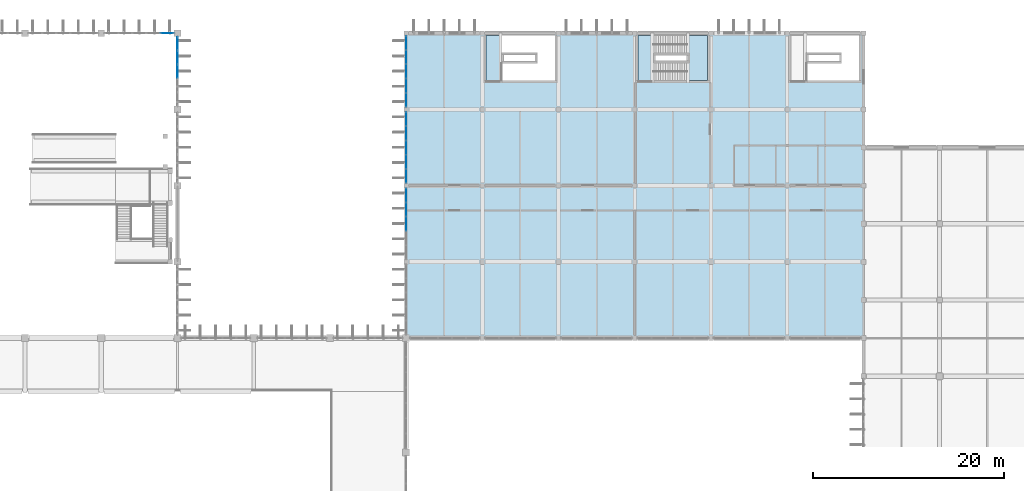
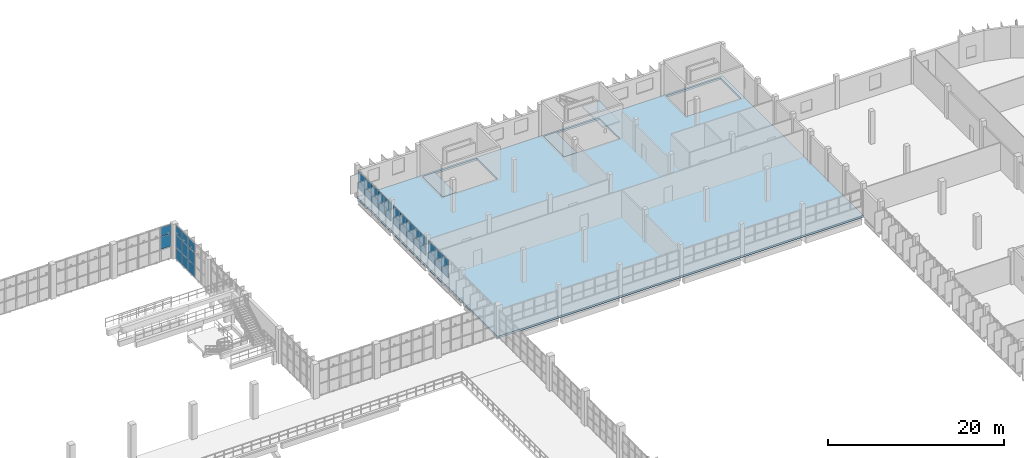
# One storey, part 59 of 93: 37 plates, 4 slabs, 6 elements without a shape of their own.
"""IFC4 building model written with IfcOpenShell, lengths in metres."""

from ifc_helpers import new_model, si_unit, direction, frame, origin, origin_2d, place, context, subcontext, project, spatial, polyline, rectangle, outline, extrude, material, layer, layer_set, type_object, element, aggregate, save


model = new_model("IFC4")

# Units and contexts
model_context = context("Model", 3, precision=1e-05, world=origin(), true_north=direction((0.0, 1.0)))
body_context = subcontext(model_context, "Body", "Model", "MODEL_VIEW")
ifc_project = project(units=[si_unit("LENGTHUNIT", "METRE"), si_unit("AREAUNIT", "SQUARE_METRE"), si_unit("VOLUMEUNIT", "CUBIC_METRE"), si_unit("PLANEANGLEUNIT", "RADIAN"), si_unit("MASSUNIT", "GRAM", prefix="KILO")], contexts=[model_context])

# Site, building, storey
site_placement = place(None, origin())
site = spatial("IfcSite", under=ifc_project, at=site_placement, CompositionType="ELEMENT")
building_placement = place(site_placement, origin())
building = spatial("IfcBuilding", under=site, at=building_placement, Name="Drelvana Railside Aquatics Centre", CompositionType="ELEMENT")
storey_placement = place(building_placement, frame((0.0, 0.0, 5.39990234375)))
storey = spatial("IfcBuildingStorey", under=building, at=storey_placement, Name="L01", CompositionType="ELEMENT", Elevation=5.39990234375)

# Curtain wall, plates
ifc_material_1 = material(Name="Bronze-anodised aluminium curtain wall", Category="aluminium")
ifc_layer_1 = layer(ifc_material_1, 0.179931640625, Name="Bronze-anodised aluminium curtain wall")
ifc_layer_set_1 = layer_set([ifc_layer_1], Name="Bronze-anodised aluminium curtain wall")
curtain_wall_type_1 = type_object("IfcCurtainWallType", Name="CW-Z2-CLER", PredefinedType="NOTDEFINED", material=ifc_layer_set_1)
curtain_wall_1_placement = place(storey_placement, origin())
curtain_wall_1 = element("IfcCurtainWall", 1, at=curtain_wall_1_placement, inside=storey, type_object=curtain_wall_type_1, Name="Curtain wall CW-02-040", PredefinedType="NOTDEFINED")
ifc_material_2 = material(Name="Double-glazed low-e solar-control glass", Category="glass")
ifc_layer_2 = layer(ifc_material_2, 0.028076171875, Name="Double-glazed low-e solar-control glass")
ifc_layer_set_2 = layer_set([ifc_layer_2], Name="Double-glazed low-e solar-control glass")
plate_type_1 = type_object("IfcPlateType", Name="CW-Z2-CLER-PAN", PredefinedType="CURTAIN_PANEL", material=ifc_layer_set_2)
plate_1_placement = place(storey_placement, frame((70.9072265625, 116.0, 1.70068359375), z_axis=(0.0, 0.0, 1.0), x_axis=(1.0, 0.0, 0.0)))
plate_1 = element("IfcPlate", 2, at=plate_1_placement, type_object=plate_type_1, Name="CW-02 panel 5.2", PredefinedType="CURTAIN_PANEL", context=body_context, shape_type="SweptSolid", body=[
    extrude(rectangle(XDim=1.367431640625, YDim=0.028076171875, at=origin_2d()), origin(), (0.0, 0.0, 1.0), 1.718994140625),
])
plate_2_placement = place(storey_placement, frame((70.9072265625, 116.0, 3.474609375), z_axis=(0.0, 0.0, 1.0), x_axis=(1.0, 0.0, 0.0)))
plate_2 = element("IfcPlate", 3, at=plate_2_placement, type_object=plate_type_1, Name="CW-02 panel 5.3", PredefinedType="CURTAIN_PANEL", context=body_context, shape_type="SweptSolid", body=[
    extrude(rectangle(XDim=1.367431640625, YDim=0.028076171875, at=origin_2d()), origin(), (0.0, 0.0, 1.0), 1.255615234375),
])
aggregate(curtain_wall_1, [plate_1, plate_2])

ifc_layer_3 = layer(ifc_material_1, 0.1650390625, Name="Bronze-anodised aluminium curtain wall")
ifc_layer_set_3 = layer_set([ifc_layer_3], Name="Bronze-anodised aluminium curtain wall")
curtain_wall_type_2 = type_object("IfcCurtainWallType", Name="CW-Z5-COURT", PredefinedType="NOTDEFINED", material=ifc_layer_set_3)
curtain_wall_2_placement = place(storey_placement, origin())
curtain_wall_2 = element("IfcCurtainWall", 4, at=curtain_wall_2_placement, inside=storey, type_object=curtain_wall_type_2, Name="Curtain wall CW-05-130", PredefinedType="NOTDEFINED")
ifc_layer_4 = layer(ifc_material_2, 0.02587890625, Name="Double-glazed low-e solar-control glass")
ifc_layer_set_4 = layer_set([ifc_layer_4], Name="Double-glazed low-e solar-control glass")
plate_type_2 = type_object("IfcPlateType", Name="CW-Z5-COURT-PAN", PredefinedType="CURTAIN_PANEL", material=ifc_layer_set_4)
plate_3_placement = place(storey_placement, frame((96.0, 96.0, 1.29931640625), z_axis=(0.0, 0.0, 1.0), x_axis=(0.0, 1.0, 0.0)))
plate_3 = element("IfcPlate", 5, at=plate_3_placement, type_object=plate_type_2, Name="CW-05 panel 3.1", PredefinedType="CURTAIN_PANEL", context=body_context, shape_type="SweptSolid", body=[
    extrude(rectangle(XDim=1.452392578125, YDim=0.02587890625, at=origin_2d()), origin(), (0.0, 0.0, 1.0), 1.093017578125),
])
plate_4_placement = place(storey_placement, frame((96.0, 96.0, 2.442138671875), z_axis=(0.0, 0.0, 1.0), x_axis=(0.0, 1.0, 0.0)))
plate_4 = element("IfcPlate", 6, at=plate_4_placement, type_object=plate_type_2, Name="CW-05 panel 3.2", PredefinedType="CURTAIN_PANEL", context=body_context, shape_type="SweptSolid", body=[
    extrude(rectangle(XDim=1.452392578125, YDim=0.02587890625, at=origin_2d()), origin(), (0.0, 0.0, 1.0), 1.35302734375),
])
plate_5_placement = place(storey_placement, frame((96.0, 97.50244140625, 1.29931640625), z_axis=(0.0, 0.0, 1.0), x_axis=(0.0, 1.0, 0.0)))
plate_5 = element("IfcPlate", 7, at=plate_5_placement, type_object=plate_type_2, Name="CW-05 panel 4.1", PredefinedType="CURTAIN_PANEL", context=body_context, shape_type="SweptSolid", body=[
    extrude(rectangle(XDim=1.452392578125, YDim=0.02587890625, at=origin_2d()), origin(), (0.0, 0.0, 1.0), 1.093017578125),
])
plate_6_placement = place(storey_placement, frame((96.0, 97.50244140625, 2.442138671875), z_axis=(0.0, 0.0, 1.0), x_axis=(0.0, 1.0, 0.0)))
plate_6 = element("IfcPlate", 8, at=plate_6_placement, type_object=plate_type_2, Name="CW-05 panel 4.2", PredefinedType="CURTAIN_PANEL", context=body_context, shape_type="SweptSolid", body=[
    extrude(rectangle(XDim=1.452392578125, YDim=0.02587890625, at=origin_2d()), origin(), (0.0, 0.0, 1.0), 1.35302734375),
])
plate_7_placement = place(storey_placement, frame((96.0, 98.98974609375, 1.29931640625), z_axis=(0.0, 0.0, 1.0), x_axis=(0.0, 1.0, 0.0)))
plate_7 = element("IfcPlate", 9, at=plate_7_placement, type_object=plate_type_2, Name="CW-05 panel 5.1", PredefinedType="CURTAIN_PANEL", context=body_context, shape_type="SweptSolid", body=[
    extrude(rectangle(XDim=1.42236328125, YDim=0.02587890625, at=origin_2d()), origin(), (0.0, 0.0, 1.0), 1.093017578125),
])
plate_8_placement = place(storey_placement, frame((96.0, 98.98974609375, 2.442138671875), z_axis=(0.0, 0.0, 1.0), x_axis=(0.0, 1.0, 0.0)))
plate_8 = element("IfcPlate", 10, at=plate_8_placement, type_object=plate_type_2, Name="CW-05 panel 5.2", PredefinedType="CURTAIN_PANEL", context=body_context, shape_type="SweptSolid", body=[
    extrude(rectangle(XDim=1.42236328125, YDim=0.02587890625, at=origin_2d()), origin(), (0.0, 0.0, 1.0), 1.35302734375),
])
aggregate(curtain_wall_2, [plate_3, plate_4, plate_5, plate_6, plate_7, plate_8])

curtain_wall_3_placement = place(storey_placement, origin())
curtain_wall_3 = element("IfcCurtainWall", 11, at=curtain_wall_3_placement, inside=storey, type_object=curtain_wall_type_2, Name="Curtain wall CW-05-132", PredefinedType="NOTDEFINED")
plate_9_placement = place(storey_placement, frame((96.0, 101.01025390625, 1.29931640625), z_axis=(0.0, 0.0, 1.0), x_axis=(0.0, 1.0, 0.0)))
plate_9 = element("IfcPlate", 12, at=plate_9_placement, type_object=plate_type_2, Name="CW-05 panel 1.1", PredefinedType="CURTAIN_PANEL", context=body_context, shape_type="SweptSolid", body=[
    extrude(rectangle(XDim=1.42236328125, YDim=0.02587890625, at=origin_2d()), origin(), (0.0, 0.0, 1.0), 1.093017578125),
])
plate_10_placement = place(storey_placement, frame((96.0, 101.01025390625, 2.442138671875), z_axis=(0.0, 0.0, 1.0), x_axis=(0.0, 1.0, 0.0)))
plate_10 = element("IfcPlate", 13, at=plate_10_placement, type_object=plate_type_2, Name="CW-05 panel 1.2", PredefinedType="CURTAIN_PANEL", context=body_context, shape_type="SweptSolid", body=[
    extrude(rectangle(XDim=1.42236328125, YDim=0.02587890625, at=origin_2d()), origin(), (0.0, 0.0, 1.0), 1.35302734375),
])
plate_11_placement = place(storey_placement, frame((96.0, 102.49755859375, 1.29931640625), z_axis=(0.0, 0.0, 1.0), x_axis=(0.0, 1.0, 0.0)))
plate_11 = element("IfcPlate", 14, at=plate_11_placement, type_object=plate_type_2, Name="CW-05 panel 2.1", PredefinedType="CURTAIN_PANEL", context=body_context, shape_type="SweptSolid", body=[
    extrude(rectangle(XDim=1.452392578125, YDim=0.02587890625, at=origin_2d()), origin(), (0.0, 0.0, 1.0), 1.093017578125),
])
plate_12_placement = place(storey_placement, frame((96.0, 102.49755859375, 2.442138671875), z_axis=(0.0, 0.0, 1.0), x_axis=(0.0, 1.0, 0.0)))
plate_12 = element("IfcPlate", 15, at=plate_12_placement, type_object=plate_type_2, Name="CW-05 panel 2.2", PredefinedType="CURTAIN_PANEL", context=body_context, shape_type="SweptSolid", body=[
    extrude(rectangle(XDim=1.452392578125, YDim=0.02587890625, at=origin_2d()), origin(), (0.0, 0.0, 1.0), 1.35302734375),
])
plate_13_placement = place(storey_placement, frame((96.0, 104.0, 1.29931640625), z_axis=(0.0, 0.0, 1.0), x_axis=(0.0, 1.0, 0.0)))
plate_13 = element("IfcPlate", 16, at=plate_13_placement, type_object=plate_type_2, Name="CW-05 panel 3.1", PredefinedType="CURTAIN_PANEL", context=body_context, shape_type="SweptSolid", body=[
    extrude(rectangle(XDim=1.452392578125, YDim=0.02587890625, at=origin_2d()), origin(), (0.0, 0.0, 1.0), 1.093017578125),
])
plate_14_placement = place(storey_placement, frame((96.0, 104.0, 2.442138671875), z_axis=(0.0, 0.0, 1.0), x_axis=(0.0, 1.0, 0.0)))
plate_14 = element("IfcPlate", 17, at=plate_14_placement, type_object=plate_type_2, Name="CW-05 panel 3.2", PredefinedType="CURTAIN_PANEL", context=body_context, shape_type="SweptSolid", body=[
    extrude(rectangle(XDim=1.452392578125, YDim=0.02587890625, at=origin_2d()), origin(), (0.0, 0.0, 1.0), 1.35302734375),
])
plate_15_placement = place(storey_placement, frame((96.0, 105.50244140625, 1.29931640625), z_axis=(0.0, 0.0, 1.0), x_axis=(0.0, 1.0, 0.0)))
plate_15 = element("IfcPlate", 18, at=plate_15_placement, type_object=plate_type_2, Name="CW-05 panel 4.1", PredefinedType="CURTAIN_PANEL", context=body_context, shape_type="SweptSolid", body=[
    extrude(rectangle(XDim=1.452392578125, YDim=0.02587890625, at=origin_2d()), origin(), (0.0, 0.0, 1.0), 1.093017578125),
])
plate_16_placement = place(storey_placement, frame((96.0, 105.50244140625, 2.442138671875), z_axis=(0.0, 0.0, 1.0), x_axis=(0.0, 1.0, 0.0)))
plate_16 = element("IfcPlate", 19, at=plate_16_placement, type_object=plate_type_2, Name="CW-05 panel 4.2", PredefinedType="CURTAIN_PANEL", context=body_context, shape_type="SweptSolid", body=[
    extrude(rectangle(XDim=1.452392578125, YDim=0.02587890625, at=origin_2d()), origin(), (0.0, 0.0, 1.0), 1.35302734375),
])
plate_17_placement = place(storey_placement, frame((96.0, 106.98974609375, 1.29931640625), z_axis=(0.0, 0.0, 1.0), x_axis=(0.0, 1.0, 0.0)))
plate_17 = element("IfcPlate", 20, at=plate_17_placement, type_object=plate_type_2, Name="CW-05 panel 5.1", PredefinedType="CURTAIN_PANEL", context=body_context, shape_type="SweptSolid", body=[
    extrude(rectangle(XDim=1.42236328125, YDim=0.02587890625, at=origin_2d()), origin(), (0.0, 0.0, 1.0), 1.093017578125),
])
plate_18_placement = place(storey_placement, frame((96.0, 106.98974609375, 2.442138671875), z_axis=(0.0, 0.0, 1.0), x_axis=(0.0, 1.0, 0.0)))
plate_18 = element("IfcPlate", 21, at=plate_18_placement, type_object=plate_type_2, Name="CW-05 panel 5.2", PredefinedType="CURTAIN_PANEL", context=body_context, shape_type="SweptSolid", body=[
    extrude(rectangle(XDim=1.42236328125, YDim=0.02587890625, at=origin_2d()), origin(), (0.0, 0.0, 1.0), 1.35302734375),
])
aggregate(curtain_wall_3, [plate_9, plate_10, plate_11, plate_12, plate_13, plate_14, plate_15, plate_16, plate_17, plate_18])

curtain_wall_4_placement = place(storey_placement, origin())
curtain_wall_4 = element("IfcCurtainWall", 22, at=curtain_wall_4_placement, inside=storey, type_object=curtain_wall_type_2, Name="Curtain wall CW-05-134", PredefinedType="NOTDEFINED")
plate_19_placement = place(storey_placement, frame((96.0, 109.01025390625, 1.29931640625), z_axis=(0.0, 0.0, 1.0), x_axis=(0.0, 1.0, 0.0)))
plate_19 = element("IfcPlate", 23, at=plate_19_placement, type_object=plate_type_2, Name="CW-05 panel 1.1", PredefinedType="CURTAIN_PANEL", context=body_context, shape_type="SweptSolid", body=[
    extrude(rectangle(XDim=1.42236328125, YDim=0.02587890625, at=origin_2d()), origin(), (0.0, 0.0, 1.0), 1.093017578125),
])
plate_20_placement = place(storey_placement, frame((96.0, 109.01025390625, 2.442138671875), z_axis=(0.0, 0.0, 1.0), x_axis=(0.0, 1.0, 0.0)))
plate_20 = element("IfcPlate", 24, at=plate_20_placement, type_object=plate_type_2, Name="CW-05 panel 1.2", PredefinedType="CURTAIN_PANEL", context=body_context, shape_type="SweptSolid", body=[
    extrude(rectangle(XDim=1.42236328125, YDim=0.02587890625, at=origin_2d()), origin(), (0.0, 0.0, 1.0), 1.35302734375),
])
plate_21_placement = place(storey_placement, frame((96.0, 110.49755859375, 1.29931640625), z_axis=(0.0, 0.0, 1.0), x_axis=(0.0, 1.0, 0.0)))
plate_21 = element("IfcPlate", 25, at=plate_21_placement, type_object=plate_type_2, Name="CW-05 panel 2.1", PredefinedType="CURTAIN_PANEL", context=body_context, shape_type="SweptSolid", body=[
    extrude(rectangle(XDim=1.452392578125, YDim=0.02587890625, at=origin_2d()), origin(), (0.0, 0.0, 1.0), 1.093017578125),
])
plate_22_placement = place(storey_placement, frame((96.0, 110.49755859375, 2.442138671875), z_axis=(0.0, 0.0, 1.0), x_axis=(0.0, 1.0, 0.0)))
plate_22 = element("IfcPlate", 26, at=plate_22_placement, type_object=plate_type_2, Name="CW-05 panel 2.2", PredefinedType="CURTAIN_PANEL", context=body_context, shape_type="SweptSolid", body=[
    extrude(rectangle(XDim=1.452392578125, YDim=0.02587890625, at=origin_2d()), origin(), (0.0, 0.0, 1.0), 1.35302734375),
])
plate_23_placement = place(storey_placement, frame((96.0, 112.0, 1.29931640625), z_axis=(0.0, 0.0, 1.0), x_axis=(0.0, 1.0, 0.0)))
plate_23 = element("IfcPlate", 27, at=plate_23_placement, type_object=plate_type_2, Name="CW-05 panel 3.1", PredefinedType="CURTAIN_PANEL", context=body_context, shape_type="SweptSolid", body=[
    extrude(rectangle(XDim=1.452392578125, YDim=0.02587890625, at=origin_2d()), origin(), (0.0, 0.0, 1.0), 1.093017578125),
])
plate_24_placement = place(storey_placement, frame((96.0, 112.0, 2.442138671875), z_axis=(0.0, 0.0, 1.0), x_axis=(0.0, 1.0, 0.0)))
plate_24 = element("IfcPlate", 28, at=plate_24_placement, type_object=plate_type_2, Name="CW-05 panel 3.2", PredefinedType="CURTAIN_PANEL", context=body_context, shape_type="SweptSolid", body=[
    extrude(rectangle(XDim=1.452392578125, YDim=0.02587890625, at=origin_2d()), origin(), (0.0, 0.0, 1.0), 1.35302734375),
])
plate_25_placement = place(storey_placement, frame((96.0, 113.50244140625, 1.29931640625), z_axis=(0.0, 0.0, 1.0), x_axis=(0.0, 1.0, 0.0)))
plate_25 = element("IfcPlate", 29, at=plate_25_placement, type_object=plate_type_2, Name="CW-05 panel 4.1", PredefinedType="CURTAIN_PANEL", context=body_context, shape_type="SweptSolid", body=[
    extrude(rectangle(XDim=1.452392578125, YDim=0.02587890625, at=origin_2d()), origin(), (0.0, 0.0, 1.0), 1.093017578125),
])
plate_26_placement = place(storey_placement, frame((96.0, 113.50244140625, 2.442138671875), z_axis=(0.0, 0.0, 1.0), x_axis=(0.0, 1.0, 0.0)))
plate_26 = element("IfcPlate", 30, at=plate_26_placement, type_object=plate_type_2, Name="CW-05 panel 4.2", PredefinedType="CURTAIN_PANEL", context=body_context, shape_type="SweptSolid", body=[
    extrude(rectangle(XDim=1.452392578125, YDim=0.02587890625, at=origin_2d()), origin(), (0.0, 0.0, 1.0), 1.35302734375),
])
plate_27_placement = place(storey_placement, frame((96.0, 114.98974609375, 1.29931640625), z_axis=(0.0, 0.0, 1.0), x_axis=(0.0, 1.0, 0.0)))
plate_27 = element("IfcPlate", 31, at=plate_27_placement, type_object=plate_type_2, Name="CW-05 panel 5.1", PredefinedType="CURTAIN_PANEL", context=body_context, shape_type="SweptSolid", body=[
    extrude(rectangle(XDim=1.42236328125, YDim=0.02587890625, at=origin_2d()), origin(), (0.0, 0.0, 1.0), 1.093017578125),
])
plate_28_placement = place(storey_placement, frame((96.0, 114.98974609375, 2.442138671875), z_axis=(0.0, 0.0, 1.0), x_axis=(0.0, 1.0, 0.0)))
plate_28 = element("IfcPlate", 32, at=plate_28_placement, type_object=plate_type_2, Name="CW-05 panel 5.2", PredefinedType="CURTAIN_PANEL", context=body_context, shape_type="SweptSolid", body=[
    extrude(rectangle(XDim=1.42236328125, YDim=0.02587890625, at=origin_2d()), origin(), (0.0, 0.0, 1.0), 1.35302734375),
])
aggregate(curtain_wall_4, [plate_19, plate_20, plate_21, plate_22, plate_23, plate_24, plate_25, plate_26, plate_27, plate_28])

ifc_layer_5 = layer(ifc_material_1, 0.2099609375, Name="Bronze-anodised aluminium curtain wall")
ifc_layer_set_5 = layer_set([ifc_layer_5], Name="Bronze-anodised aluminium curtain wall")
curtain_wall_type_3 = type_object("IfcCurtainWallType", Name="CW-Z7-DIVE", PredefinedType="NOTDEFINED", material=ifc_layer_set_5)
curtain_wall_5_placement = place(storey_placement, origin())
curtain_wall_5 = element("IfcCurtainWall", 33, at=curtain_wall_5_placement, inside=storey, type_object=curtain_wall_type_3, Name="Curtain wall CW-07-097", PredefinedType="NOTDEFINED")
ifc_layer_6 = layer(ifc_material_2, 0.033935546875, Name="Double-glazed low-e solar-control glass")
ifc_layer_set_6 = layer_set([ifc_layer_6], Name="Double-glazed low-e solar-control glass")
plate_type_3 = type_object("IfcPlateType", Name="CW-Z7-DIVE-PAN", PredefinedType="CURTAIN_PANEL", material=ifc_layer_set_6)
plate_29_placement = place(storey_placement, frame((72.0, 112.0, 0.05908203125), z_axis=(0.0, 0.0, 1.0), x_axis=(0.0, 1.0, 0.0)))
plate_29 = element("IfcPlate", 34, at=plate_29_placement, type_object=plate_type_3, Name="CW-07 panel 3.1", PredefinedType="CURTAIN_PANEL", context=body_context, shape_type="SweptSolid", body=[
    extrude(rectangle(XDim=1.392333984375, YDim=0.033935546875, at=origin_2d()), origin(), (0.0, 0.0, 1.0), 1.583984375),
])
plate_30_placement = place(storey_placement, frame((72.0, 112.0, 1.703125), z_axis=(0.0, 0.0, 1.0), x_axis=(0.0, 1.0, 0.0)))
plate_30 = element("IfcPlate", 35, at=plate_30_placement, type_object=plate_type_3, Name="CW-07 panel 3.2", PredefinedType="CURTAIN_PANEL", context=body_context, shape_type="SweptSolid", body=[
    extrude(rectangle(XDim=1.392333984375, YDim=0.033935546875, at=origin_2d()), origin(), (0.0, 0.0, 1.0), 1.714111328125),
])
plate_31_placement = place(storey_placement, frame((72.0, 112.0, 3.47705078125), z_axis=(0.0, 0.0, 1.0), x_axis=(0.0, 1.0, 0.0)))
plate_31 = element("IfcPlate", 36, at=plate_31_placement, type_object=plate_type_3, Name="CW-07 panel 3.3", PredefinedType="CURTAIN_PANEL", context=body_context, shape_type="SweptSolid", body=[
    extrude(rectangle(XDim=1.392333984375, YDim=0.033935546875, at=origin_2d()), origin(), (0.0, 0.0, 1.0), 1.248046875),
])
plate_32_placement = place(storey_placement, frame((72.0, 113.46240234375, 0.05908203125), z_axis=(0.0, 0.0, 1.0), x_axis=(0.0, 1.0, 0.0)))
plate_32 = element("IfcPlate", 37, at=plate_32_placement, type_object=plate_type_3, Name="CW-07 panel 4.1", PredefinedType="CURTAIN_PANEL", context=body_context, shape_type="SweptSolid", body=[
    extrude(rectangle(XDim=1.392333984375, YDim=0.033935546875, at=origin_2d()), origin(), (0.0, 0.0, 1.0), 1.583984375),
])
plate_33_placement = place(storey_placement, frame((72.0, 113.46240234375, 1.703125), z_axis=(0.0, 0.0, 1.0), x_axis=(0.0, 1.0, 0.0)))
plate_33 = element("IfcPlate", 38, at=plate_33_placement, type_object=plate_type_3, Name="CW-07 panel 4.2", PredefinedType="CURTAIN_PANEL", context=body_context, shape_type="SweptSolid", body=[
    extrude(rectangle(XDim=1.392333984375, YDim=0.033935546875, at=origin_2d()), origin(), (0.0, 0.0, 1.0), 1.714111328125),
])
plate_34_placement = place(storey_placement, frame((72.0, 113.46240234375, 3.47705078125), z_axis=(0.0, 0.0, 1.0), x_axis=(0.0, 1.0, 0.0)))
plate_34 = element("IfcPlate", 39, at=plate_34_placement, type_object=plate_type_3, Name="CW-07 panel 4.3", PredefinedType="CURTAIN_PANEL", context=body_context, shape_type="SweptSolid", body=[
    extrude(rectangle(XDim=1.392333984375, YDim=0.033935546875, at=origin_2d()), origin(), (0.0, 0.0, 1.0), 1.248046875),
])
plate_35_placement = place(storey_placement, frame((72.0, 114.90478515625, 0.05908203125), z_axis=(0.0, 0.0, 1.0), x_axis=(0.0, 1.0, 0.0)))
plate_35 = element("IfcPlate", 40, at=plate_35_placement, type_object=plate_type_3, Name="CW-07 panel 5.1", PredefinedType="CURTAIN_PANEL", context=body_context, shape_type="SweptSolid", body=[
    extrude(rectangle(XDim=1.352294921875, YDim=0.033935546875, at=origin_2d()), origin(), (0.0, 0.0, 1.0), 1.583984375),
])
plate_36_placement = place(storey_placement, frame((72.0, 114.90478515625, 1.703125), z_axis=(0.0, 0.0, 1.0), x_axis=(0.0, 1.0, 0.0)))
plate_36 = element("IfcPlate", 41, at=plate_36_placement, type_object=plate_type_3, Name="CW-07 panel 5.2", PredefinedType="CURTAIN_PANEL", context=body_context, shape_type="SweptSolid", body=[
    extrude(rectangle(XDim=1.352294921875, YDim=0.033935546875, at=origin_2d()), origin(), (0.0, 0.0, 1.0), 1.714111328125),
])
plate_37_placement = place(storey_placement, frame((72.0, 114.90478515625, 3.47705078125), z_axis=(0.0, 0.0, 1.0), x_axis=(0.0, 1.0, 0.0)))
plate_37 = element("IfcPlate", 42, at=plate_37_placement, type_object=plate_type_3, Name="CW-07 panel 5.3", PredefinedType="CURTAIN_PANEL", context=body_context, shape_type="SweptSolid", body=[
    extrude(rectangle(XDim=1.352294921875, YDim=0.033935546875, at=origin_2d()), origin(), (0.0, 0.0, 1.0), 1.248046875),
])
aggregate(curtain_wall_5, [plate_29, plate_30, plate_31, plate_32, plate_33, plate_34, plate_35, plate_36, plate_37])

# Slabs
ifc_material_3 = material(Name="Concrete C40/50", Category="concrete")
ifc_layer_7 = layer(ifc_material_3, 0.27490234375, Name="Concrete C40/50")
ifc_layer_set_7 = layer_set([ifc_layer_7], Name="Concrete C40/50")
slab_type_1 = type_object("IfcSlabType", Name="SL-L01-275", PredefinedType="FLOOR", material=ifc_layer_set_7)
slab_1_placement = place(storey_placement, frame((0.0, 0.0, -0.27490234375)))
element("IfcSlab", 43, at=slab_1_placement, inside=storey, type_object=slab_type_1, Name="Changing Pavilion upper floor slab", PredefinedType="FLOOR", context=body_context, shape_type="SweptSolid", body=[
    extrude(outline(polyline([(96.0, 84.0), (144.0, 84.0), (144.0, 116.0), (96.0, 116.0), (96.0, 84.0)]), holes=[polyline([(120.35009765625, 111.050048828125), (127.64990234375, 111.050048828125), (127.64990234375, 115.75), (120.35009765625, 115.75), (120.35009765625, 111.050048828125)]), polyline([(104.39990234375, 111.050048828125), (111.60009765625, 111.050048828125), (111.60009765625, 115.75), (104.39990234375, 115.75), (104.39990234375, 111.050048828125)]), polyline([(136.39990234375, 111.050048828125), (143.550048828125, 111.050048828125), (143.550048828125, 115.75), (136.39990234375, 115.75), (136.39990234375, 111.050048828125)])]), origin(), (0.0, 0.0, 1.0), 0.27490234375),
])
ifc_layer_8 = layer(ifc_material_3, 0.199951171875, Name="Concrete C40/50")
ifc_layer_set_8 = layer_set([ifc_layer_8], Name="Concrete C40/50")
slab_type_2 = type_object("IfcSlabType", Name="SL-LAND-200", PredefinedType="LANDING", material=ifc_layer_set_8)
slab_2_placement = place(storey_placement, frame((0.0, 0.0, -0.199951171875)))
element("IfcSlab", 44, at=slab_2_placement, inside=storey, type_object=slab_type_2, Name="Stair ST-05 L01 floor landing", PredefinedType="LANDING", context=body_context, shape_type="SweptSolid", body=[
    extrude(outline(polyline([(120.35009765625, 111.050048828125), (122.030029296875, 111.050048828125), (122.030029296875, 115.75), (120.35009765625, 115.75), (120.35009765625, 111.050048828125)])), origin(), (0.0, 0.0, 1.0), 0.199951171875),
])

# Stair, slab
stair_type = type_object("IfcStairType", Name="ST-CORE-TYP", PredefinedType="HALF_TURN_STAIR", material=ifc_material_3)
stair_placement = place(storey_placement, origin())
stair = element("IfcStair", 45, at=stair_placement, inside=storey, type_object=stair_type, Name="Exit stair ST-05 (L01 to L02)", PredefinedType="HALF_TURN_STAIR")
slab_3_placement = place(storey_placement, frame((0.0, 0.0, 2.2001953125)))
slab_3 = element("IfcSlab", 46, at=slab_3_placement, type_object=slab_type_2, Name="ST-TP landing 1", PredefinedType="LANDING", context=body_context, shape_type="SweptSolid", body=[
    extrude(outline(polyline([(125.409912109375, 111.050048828125), (127.64990234375, 111.050048828125), (127.64990234375, 115.75), (125.409912109375, 115.75), (125.409912109375, 111.050048828125)])), origin(), (0.0, 0.0, 1.0), 0.199951171875),
])
aggregate(stair, [slab_3])

# Slab
slab_4_placement = place(storey_placement, frame((0.0, 0.0, -0.199951171875)))
element("IfcSlab", 47, at=slab_4_placement, inside=storey, type_object=slab_type_2, Name="Stair ST-11 L01 floor landing", PredefinedType="LANDING", context=body_context, shape_type="SweptSolid", body=[
    extrude(outline(polyline([(104.39990234375, 111.050048828125), (106.080078125, 111.050048828125), (106.080078125, 115.75), (104.39990234375, 115.75), (104.39990234375, 111.050048828125)])), origin(), (0.0, 0.0, 1.0), 0.199951171875),
])

save(model, "model.ifc")
